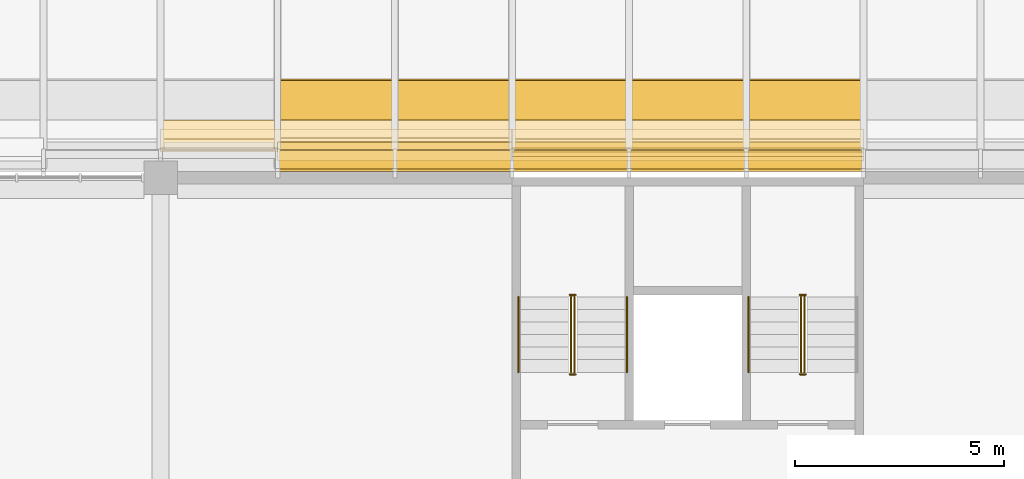
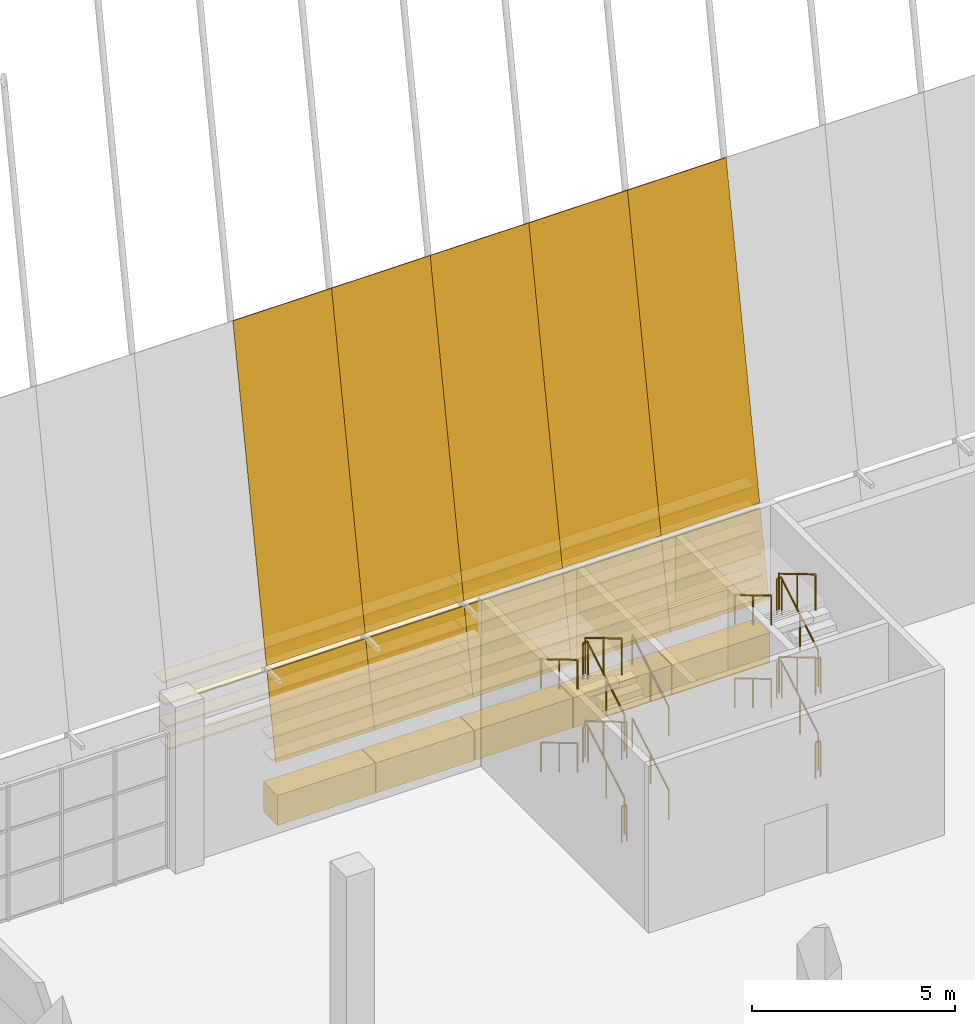
# One storey, part 91 of 101: 27 coverings, 22 railings.
"""IFC4 building model written with IfcOpenShell, lengths in metres."""

from ifc_helpers import new_model, si_unit, direction, frame, origin, origin_2d, place, context, subcontext, project, spatial, polyline, rectangle, circle, outline, extrude, material, layer, layer_set, material_profile, profile_set, type_object, element, save


model = new_model("IFC4")

# Units and contexts
model_context = context("Model", 3, precision=1e-05, world=origin(), true_north=direction((0.0, 1.0)))
body_context = subcontext(model_context, "Body", "Model", "MODEL_VIEW")
ifc_project = project(units=[si_unit("LENGTHUNIT", "METRE"), si_unit("AREAUNIT", "SQUARE_METRE"), si_unit("VOLUMEUNIT", "CUBIC_METRE"), si_unit("PLANEANGLEUNIT", "RADIAN"), si_unit("MASSUNIT", "GRAM", prefix="KILO")], contexts=[model_context])

# Site, building, storey
site_placement = place(None, origin())
site = spatial("IfcSite", under=ifc_project, at=site_placement, CompositionType="ELEMENT")
building_placement = place(site_placement, origin())
building = spatial("IfcBuilding", under=site, at=building_placement, Name="Almond Square Museum", CompositionType="ELEMENT")
storey_placement = place(building_placement, frame((0.0, 0.0, 5.5)))
storey = spatial("IfcBuildingStorey", under=building, at=storey_placement, Name="L01", CompositionType="ELEMENT", Elevation=5.5)

# Coverings
ifc_material_1 = material(Name="Cedar timber louvre board", Category="wood")
ifc_material_profile = material_profile(ifc_material_1, rectangle(XDim=0.449951171875, YDim=0.050048828125, at=origin_2d()))
ifc_profile_set = profile_set([ifc_material_profile], Name="Cedar timber louvre board")
covering_type_1 = type_object("IfcCoveringType", Name="Louvre board 450 x 50", PredefinedType="CLADDING", material=ifc_profile_set)
covering_1_placement = place(storey_placement, frame((118.0, 109.82373046875, 1.800048828125), z_axis=(1.0, 0.0, 0.0), x_axis=(0.0, 1.0, 0.0)))
element("IfcCovering", 1, at=covering_1_placement, inside=storey, type_object=covering_type_1, Name="Louvre board N01.02", PredefinedType="CLADDING", context=body_context, shape_type="SweptSolid", body=[
    extrude(rectangle(XDim=0.449951171875, YDim=0.050048828125, at=origin_2d()), origin(), (0.0, 0.0, 1.0), 5.60009765625),
])
covering_2_placement = place(storey_placement, frame((123.60009765625, 109.82373046875, 1.800048828125), z_axis=(1.0, 0.0, 0.0), x_axis=(0.0, 1.0, 0.0)))
element("IfcCovering", 2, at=covering_2_placement, inside=storey, type_object=covering_type_1, Name="Louvre board N01.03", PredefinedType="CLADDING", context=body_context, shape_type="SweptSolid", body=[
    extrude(rectangle(XDim=0.449951171875, YDim=0.050048828125, at=origin_2d()), origin(), (0.0, 0.0, 1.0), 8.39990234375),
])
covering_3_placement = place(storey_placement, frame((118.0, 109.9296875, 2.39990234375), z_axis=(1.0, 0.0, 0.0), x_axis=(0.0, 1.0, 0.0)))
element("IfcCovering", 3, at=covering_3_placement, inside=storey, type_object=covering_type_1, Name="Louvre board N02.02", PredefinedType="CLADDING", context=body_context, shape_type="SweptSolid", body=[
    extrude(rectangle(XDim=0.449951171875, YDim=0.050048828125, at=origin_2d()), origin(), (0.0, 0.0, 1.0), 5.60009765625),
])
covering_4_placement = place(storey_placement, frame((123.60009765625, 109.9296875, 2.39990234375), z_axis=(1.0, 0.0, 0.0), x_axis=(0.0, 1.0, 0.0)))
element("IfcCovering", 4, at=covering_4_placement, inside=storey, type_object=covering_type_1, Name="Louvre board N02.03", PredefinedType="CLADDING", context=body_context, shape_type="SweptSolid", body=[
    extrude(rectangle(XDim=0.449951171875, YDim=0.050048828125, at=origin_2d()), origin(), (0.0, 0.0, 1.0), 8.39990234375),
])
covering_5_placement = place(storey_placement, frame((115.199951171875, 110.035400390625, 3.0), z_axis=(1.0, 0.0, 0.0), x_axis=(0.0, 1.0, 0.0)))
element("IfcCovering", 5, at=covering_5_placement, inside=storey, type_object=covering_type_1, Name="Louvre board N03.02", PredefinedType="CLADDING", context=body_context, shape_type="SweptSolid", body=[
    extrude(rectangle(XDim=0.449951171875, YDim=0.050048828125, at=origin_2d()), origin(), (0.0, 0.0, 1.0), 8.400146484375),
])
covering_6_placement = place(storey_placement, frame((123.60009765625, 110.035400390625, 3.0), z_axis=(1.0, 0.0, 0.0), x_axis=(0.0, 1.0, 0.0)))
element("IfcCovering", 6, at=covering_6_placement, inside=storey, type_object=covering_type_1, Name="Louvre board N03.03", PredefinedType="CLADDING", context=body_context, shape_type="SweptSolid", body=[
    extrude(rectangle(XDim=0.449951171875, YDim=0.050048828125, at=origin_2d()), origin(), (0.0, 0.0, 1.0), 8.39990234375),
])
covering_7_placement = place(storey_placement, frame((115.199951171875, 110.14111328125, 3.60009765625), z_axis=(1.0, 0.0, 0.0), x_axis=(0.0, 1.0, 0.0)))
element("IfcCovering", 7, at=covering_7_placement, inside=storey, type_object=covering_type_1, Name="Louvre board N04.02", PredefinedType="CLADDING", context=body_context, shape_type="SweptSolid", body=[
    extrude(rectangle(XDim=0.449951171875, YDim=0.050048828125, at=origin_2d()), origin(), (0.0, 0.0, 1.0), 8.400146484375),
])
covering_8_placement = place(storey_placement, frame((123.60009765625, 110.14111328125, 3.60009765625), z_axis=(1.0, 0.0, 0.0), x_axis=(0.0, 1.0, 0.0)))
element("IfcCovering", 8, at=covering_8_placement, inside=storey, type_object=covering_type_1, Name="Louvre board N04.03", PredefinedType="CLADDING", context=body_context, shape_type="SweptSolid", body=[
    extrude(rectangle(XDim=0.449951171875, YDim=0.050048828125, at=origin_2d()), origin(), (0.0, 0.0, 1.0), 8.39990234375),
])
covering_9_placement = place(storey_placement, frame((115.199951171875, 110.2470703125, 4.199951171875), z_axis=(1.0, 0.0, 0.0), x_axis=(0.0, 1.0, 0.0)))
element("IfcCovering", 9, at=covering_9_placement, inside=storey, type_object=covering_type_1, Name="Louvre board N05.02", PredefinedType="CLADDING", context=body_context, shape_type="SweptSolid", body=[
    extrude(rectangle(XDim=0.449951171875, YDim=0.050048828125, at=origin_2d()), origin(), (0.0, 0.0, 1.0), 8.400146484375),
])
covering_10_placement = place(storey_placement, frame((123.60009765625, 110.2470703125, 4.199951171875), z_axis=(1.0, 0.0, 0.0), x_axis=(0.0, 1.0, 0.0)))
element("IfcCovering", 10, at=covering_10_placement, inside=storey, type_object=covering_type_1, Name="Louvre board N05.03", PredefinedType="CLADDING", context=body_context, shape_type="SweptSolid", body=[
    extrude(rectangle(XDim=0.449951171875, YDim=0.050048828125, at=origin_2d()), origin(), (0.0, 0.0, 1.0), 8.39990234375),
])
covering_11_placement = place(storey_placement, frame((115.199951171875, 110.352783203125, 4.800048828125), z_axis=(1.0, 0.0, 0.0), x_axis=(0.0, 1.0, 0.0)))
element("IfcCovering", 11, at=covering_11_placement, inside=storey, type_object=covering_type_1, Name="Louvre board N06.02", PredefinedType="CLADDING", context=body_context, shape_type="SweptSolid", body=[
    extrude(rectangle(XDim=0.449951171875, YDim=0.050048828125, at=origin_2d()), origin(), (0.0, 0.0, 1.0), 8.400146484375),
])
covering_12_placement = place(storey_placement, frame((123.60009765625, 110.352783203125, 4.800048828125), z_axis=(1.0, 0.0, 0.0), x_axis=(0.0, 1.0, 0.0)))
element("IfcCovering", 12, at=covering_12_placement, inside=storey, type_object=covering_type_1, Name="Louvre board N06.03", PredefinedType="CLADDING", context=body_context, shape_type="SweptSolid", body=[
    extrude(rectangle(XDim=0.449951171875, YDim=0.050048828125, at=origin_2d()), origin(), (0.0, 0.0, 1.0), 8.39990234375),
])
ifc_material_2 = material(Name="Cedar timber sheathing panel", Category="wood")
ifc_layer_1 = layer(ifc_material_2, 0.030029296875)
ifc_layer_set_1 = layer_set([ifc_layer_1], Name="Cedar timber sheathing panel")
covering_type_2 = type_object("IfcCoveringType", Name="Louvre rain-screen backing panel 30", PredefinedType="CLADDING", material=ifc_layer_set_1)
covering_13_placement = place(storey_placement, frame((118.0, 109.42724609375, 1.8486328125), z_axis=(0.0, -0.984810858511, 0.173630564586), x_axis=(1.0, 0.0, 0.0)))
element("IfcCovering", 13, at=covering_13_placement, inside=storey, type_object=covering_type_2, Name="Louvre rain-screen backing panel N05.03", PredefinedType="CLADDING", context=body_context, shape_type="SweptSolid", body=[
    extrude(outline(polyline([(0.0, 0.0), (2.800048828125, 0.0), (2.800048828125, 2.519717660558068), (0.0, 2.519717660558068), (0.0, 0.0)])), frame((0.0, 0.0, -0.01513671875)), (0.0, 0.0, 1.0), 0.030029296875),
])
covering_14_placement = place(storey_placement, frame((118.0, 109.889404296875, 4.469970703125), z_axis=(0.0, -0.98480863204, 0.173643192378), x_axis=(1.0, 0.0, 0.0)))
element("IfcCovering", 14, at=covering_14_placement, inside=storey, type_object=covering_type_2, Name="Louvre rain-screen backing panel N05.04", PredefinedType="CLADDING", context=body_context, shape_type="SweptSolid", body=[
    extrude(outline(polyline([(0.0, 0.0), (2.800048828125, 0.0), (2.800048828125, 9.504493682681225), (0.0, 9.504493682681225), (0.0, 0.0)])), frame((0.0, 0.0, -0.01513671875)), (0.0, 0.0, 1.0), 0.030029296875),
])
covering_15_placement = place(storey_placement, frame((120.800048828125, 109.42724609375, 1.8486328125), z_axis=(0.0, -0.984810858511, 0.173630564586), x_axis=(1.0, 0.0, 0.0)))
element("IfcCovering", 15, at=covering_15_placement, inside=storey, type_object=covering_type_2, Name="Louvre rain-screen backing panel N06.03", PredefinedType="CLADDING", context=body_context, shape_type="SweptSolid", body=[
    extrude(outline(polyline([(0.0, 0.0), (2.800048828125, 0.0), (2.800048828125, 2.519717660558068), (0.0, 2.519717660558068), (0.0, 0.0)])), frame((0.0, 0.0, -0.01513671875)), (0.0, 0.0, 1.0), 0.030029296875),
])
covering_16_placement = place(storey_placement, frame((120.800048828125, 109.889404296875, 4.469970703125), z_axis=(0.0, -0.98480863204, 0.173643192378), x_axis=(1.0, 0.0, 0.0)))
element("IfcCovering", 16, at=covering_16_placement, inside=storey, type_object=covering_type_2, Name="Louvre rain-screen backing panel N06.04", PredefinedType="CLADDING", context=body_context, shape_type="SweptSolid", body=[
    extrude(outline(polyline([(0.0, 0.0), (2.800048828125, 0.0), (2.800048828125, 9.504493682681225), (0.0, 9.504493682681225), (0.0, 0.0)])), frame((0.0, 0.0, -0.01513671875)), (0.0, 0.0, 1.0), 0.030029296875),
])
covering_17_placement = place(storey_placement, frame((123.60009765625, 109.42724609375, 1.8486328125), z_axis=(0.0, -0.984810858511, 0.173630564586), x_axis=(1.0, 0.0, 0.0)))
element("IfcCovering", 17, at=covering_17_placement, inside=storey, type_object=covering_type_2, Name="Louvre rain-screen backing panel N07.03", PredefinedType="CLADDING", context=body_context, shape_type="SweptSolid", body=[
    extrude(outline(polyline([(0.0, 0.0), (2.7998046875, 0.0), (2.7998046875, 2.519717660558068), (0.0, 2.519717660558068), (0.0, 0.0)])), frame((0.0, 0.0, -0.01513671875)), (0.0, 0.0, 1.0), 0.030029296875),
])
covering_18_placement = place(storey_placement, frame((123.60009765625, 109.889404296875, 4.469970703125), z_axis=(0.0, -0.98480863204, 0.173643192378), x_axis=(1.0, 0.0, 0.0)))
element("IfcCovering", 18, at=covering_18_placement, inside=storey, type_object=covering_type_2, Name="Louvre rain-screen backing panel N07.04", PredefinedType="CLADDING", context=body_context, shape_type="SweptSolid", body=[
    extrude(outline(polyline([(0.0, 0.0), (2.7998046875, 0.0), (2.7998046875, 9.504493682681227), (0.0, 9.504493682681227), (0.0, 0.0)])), frame((0.0, 0.0, -0.01513671875)), (0.0, 0.0, 1.0), 0.030029296875),
])
covering_19_placement = place(storey_placement, frame((126.39990234375, 109.42724609375, 1.8486328125), z_axis=(0.0, -0.984810858511, 0.173630564586), x_axis=(1.0, 0.0, 0.0)))
element("IfcCovering", 19, at=covering_19_placement, inside=storey, type_object=covering_type_2, Name="Louvre rain-screen backing panel N08.03", PredefinedType="CLADDING", context=body_context, shape_type="SweptSolid", body=[
    extrude(outline(polyline([(0.0, 0.0), (2.800048828125, 0.0), (2.800048828125, 2.519717660558068), (0.0, 2.519717660558068), (0.0, 0.0)])), frame((0.0, 0.0, -0.01513671875)), (0.0, 0.0, 1.0), 0.030029296875),
])
covering_20_placement = place(storey_placement, frame((126.39990234375, 109.889404296875, 4.469970703125), z_axis=(0.0, -0.98480863204, 0.173643192378), x_axis=(1.0, 0.0, 0.0)))
element("IfcCovering", 20, at=covering_20_placement, inside=storey, type_object=covering_type_2, Name="Louvre rain-screen backing panel N08.04", PredefinedType="CLADDING", context=body_context, shape_type="SweptSolid", body=[
    extrude(outline(polyline([(0.0, 0.0), (2.800048828125, 0.0), (2.800048828125, 9.504493682681225), (0.0, 9.504493682681225), (0.0, 0.0)])), frame((0.0, 0.0, -0.01513671875)), (0.0, 0.0, 1.0), 0.030029296875),
])
covering_21_placement = place(storey_placement, frame((129.199951171875, 109.42724609375, 1.8486328125), z_axis=(0.0, -0.984810858511, 0.173630564586), x_axis=(1.0, 0.0, 0.0)))
element("IfcCovering", 21, at=covering_21_placement, inside=storey, type_object=covering_type_2, Name="Louvre rain-screen backing panel N09.03", PredefinedType="CLADDING", context=body_context, shape_type="SweptSolid", body=[
    extrude(outline(polyline([(0.0, 0.0), (2.800048828125, 0.0), (2.800048828125, 2.519717660558068), (0.0, 2.519717660558068), (0.0, 0.0)])), frame((0.0, 0.0, -0.01513671875)), (0.0, 0.0, 1.0), 0.030029296875),
])
covering_22_placement = place(storey_placement, frame((129.199951171875, 109.889404296875, 4.469970703125), z_axis=(0.0, -0.98480863204, 0.173643192378), x_axis=(1.0, 0.0, 0.0)))
element("IfcCovering", 22, at=covering_22_placement, inside=storey, type_object=covering_type_2, Name="Louvre rain-screen backing panel N09.04", PredefinedType="CLADDING", context=body_context, shape_type="SweptSolid", body=[
    extrude(outline(polyline([(0.0, 0.0), (2.800048828125, 0.0), (2.800048828125, 9.504493682681225), (0.0, 9.504493682681225), (0.0, 0.0)])), frame((0.0, 0.0, -0.01513671875)), (0.0, 0.0, 1.0), 0.030029296875),
])
ifc_material_3 = material(Name="Timber plinth, cedar", Category="wood")
ifc_layer_2 = layer(ifc_material_3, 0.699951171875)
ifc_layer_set_2 = layer_set([ifc_layer_2], Name="Timber plinth, cedar")
covering_type_3 = type_object("IfcCoveringType", Name="Louvre skin plinth, timber 700 x 900", PredefinedType="CLADDING", material=ifc_layer_set_2)
for number, where, z_axis, x_axis, name in (
    (23, (119.39990234375, 109.699951171875, 0.0), (0.0, 0.0, 1.0), (1.0, 0.0, 0.0), "Louvre skin plinth N05"),
    (24, (122.199951171875, 109.699951171875, 0.0), (0.0, 0.0, 1.0), (1.0, 0.0, 0.0), "Louvre skin plinth N06"),
    (25, (125.0, 109.699951171875, 0.0), (0.0, 0.0, 1.0), (1.0, 0.0, 0.0), "Louvre skin plinth N07"),
    (26, (127.800048828125, 109.699951171875, 0.0), (0.0, 0.0, 1.0), (1.0, 0.0, 0.0), "Louvre skin plinth N08"),
    (27, (130.60009765625, 109.699951171875, 0.0), (0.0, 0.0, 1.0), (1.0, 0.0, 0.0), "Louvre skin plinth N09"),
):
    element("IfcCovering", number, at=place(storey_placement, frame(where, z_axis=z_axis, x_axis=x_axis)), inside=storey, type_object=covering_type_3, Name=name, PredefinedType="CLADDING", context=body_context, shape_type="SweptSolid", body=[
        extrude(rectangle(XDim=2.780029296875, YDim=0.699951171875, at=origin_2d()), origin(), (0.0, 0.0, 1.0), 0.89990234375),
    ])

# Railings
ifc_material_4 = material(Name="Stainless steel and laminated glass", Category="steel")
railing_type_1 = type_object("IfcRailingType", Name="Stair guard 1100 steel and glass", PredefinedType="GUARDRAIL", material=ifc_material_4)
railing_1_placement = place(storey_placement, frame((125.090087890625, 104.550048828125, 0.178466796875)))
element("IfcRailing", 28, at=railing_1_placement, inside=storey, type_object=railing_type_1, Name="L01 ST-07 stair guard 1", PredefinedType="GUARDRAIL", context=body_context, shape_type="SweptSolid", body=[
    extrude(circle(Radius=0.02392578125, at=origin_2d()), frame((0.0, 0.0, 1.076171875), z_axis=(0.0, 0.859277029364, 0.511510495305), x_axis=(-1.0, 0.0, 0.0)), (0.0, 0.0, 1.0), 2.0947265625),
    extrude(circle(Radius=0.02099609375, at=origin_2d()), origin(), (0.0, 0.0, 1.0), 1.052001953125),
    extrude(circle(Radius=0.02099609375, at=origin_2d()), frame((0.0, 0.89990234375, 0.53564453125)), (0.0, 0.0, 1.0), 1.052001953125),
    extrude(circle(Radius=0.02099609375, at=origin_2d()), frame((0.0, 1.800048828125, 1.071533203125)), (0.0, 0.0, 1.0), 1.052001953125),
])
railing_2_placement = place(storey_placement, frame((125.1201171875, 106.39990234375, 1.25)))
element("IfcRailing", 29, at=railing_2_placement, inside=storey, type_object=railing_type_1, Name="L01 ST-07 stair guard 2", PredefinedType="GUARDRAIL", context=body_context, shape_type="SweptSolid", body=[
    extrude(circle(Radius=0.02392578125, at=origin_2d()), frame((0.0, 0.0, 1.076171875), z_axis=(-1.0, 0.0, 0.0), x_axis=(0.0, -1.0, 0.0)), (0.0, 0.0, 1.0), 0.14013671875),
    extrude(circle(Radius=0.02099609375, at=origin_2d()), origin(), (0.0, 0.0, 1.0), 1.052001953125),
    extrude(circle(Radius=0.02099609375, at=origin_2d()), frame((-0.14013671875, 0.0, 0.0)), (0.0, 0.0, 1.0), 1.052001953125),
])
railing_3_placement = place(storey_placement, frame((125.010009765625, 106.35009765625, 1.428466796875)))
element("IfcRailing", 30, at=railing_3_placement, inside=storey, type_object=railing_type_1, Name="L01 ST-07 stair guard 3", PredefinedType="GUARDRAIL", context=body_context, shape_type="SweptSolid", body=[
    extrude(circle(Radius=0.02392578125, at=origin_2d()), frame((0.0, 0.0, 1.076171875), z_axis=(0.0, -0.859277029364, 0.511510495305), x_axis=(1.0, 0.0, 0.0)), (0.0, 0.0, 1.0), 2.0947265625),
    extrude(circle(Radius=0.02099609375, at=origin_2d()), origin(), (0.0, 0.0, 1.0), 1.052001953125),
    extrude(circle(Radius=0.02099609375, at=origin_2d()), frame((0.0, -0.89990234375, 0.53564453125)), (0.0, 0.0, 1.0), 1.052001953125),
    extrude(circle(Radius=0.02099609375, at=origin_2d()), frame((0.0, -1.800048828125, 1.071533203125)), (0.0, 0.0, 1.0), 1.052001953125),
])
railing_4_placement = place(storey_placement, frame((125.1201171875, 104.5, 2.5)))
element("IfcRailing", 31, at=railing_4_placement, inside=storey, type_object=railing_type_1, Name="L01 ST-07 stair guard 4", PredefinedType="GUARDRAIL", context=body_context, shape_type="SweptSolid", body=[
    extrude(circle(Radius=0.02392578125, at=origin_2d()), frame((0.0, 0.0, 1.076171875), z_axis=(-1.0, 0.0, 0.0), x_axis=(0.0, -1.0, 0.0)), (0.0, 0.0, 1.0), 0.14013671875),
    extrude(circle(Radius=0.02099609375, at=origin_2d()), origin(), (0.0, 0.0, 1.0), 1.052001953125),
    extrude(circle(Radius=0.02099609375, at=origin_2d()), frame((-0.14013671875, 0.0, 0.0)), (0.0, 0.0, 1.0), 1.052001953125),
])
railing_5_placement = place(storey_placement, frame((125.090087890625, 104.550048828125, 2.678466796875)))
element("IfcRailing", 32, at=railing_5_placement, inside=storey, type_object=railing_type_1, Name="L01 ST-07 stair guard 5", PredefinedType="GUARDRAIL", context=body_context, shape_type="SweptSolid", body=[
    extrude(circle(Radius=0.02392578125, at=origin_2d()), frame((0.0, 0.0, 1.076171875), z_axis=(0.0, 0.859277029364, 0.511510495305), x_axis=(-1.0, 0.0, 0.0)), (0.0, 0.0, 1.0), 2.0947265625),
    extrude(circle(Radius=0.02099609375, at=origin_2d()), origin(), (0.0, 0.0, 1.0), 1.052001953125),
    extrude(circle(Radius=0.02099609375, at=origin_2d()), frame((0.0, 0.89990234375, 0.53564453125)), (0.0, 0.0, 1.0), 1.052001953125),
    extrude(circle(Radius=0.02099609375, at=origin_2d()), frame((0.0, 1.800048828125, 1.071533203125)), (0.0, 0.0, 1.0), 1.052001953125),
])
railing_6_placement = place(storey_placement, frame((125.1201171875, 106.39990234375, 3.75)))
element("IfcRailing", 33, at=railing_6_placement, inside=storey, type_object=railing_type_1, Name="L01 ST-07 stair guard 6", PredefinedType="GUARDRAIL", context=body_context, shape_type="SweptSolid", body=[
    extrude(circle(Radius=0.02392578125, at=origin_2d()), frame((0.0, 0.0, 1.076171875), z_axis=(-1.0, 0.0, 0.0), x_axis=(0.0, -1.0, 0.0)), (0.0, 0.0, 1.0), 0.14013671875),
    extrude(circle(Radius=0.02099609375, at=origin_2d()), origin(), (0.0, 0.0, 1.0), 1.052001953125),
    extrude(circle(Radius=0.02099609375, at=origin_2d()), frame((-0.14013671875, 0.0, 0.0)), (0.0, 0.0, 1.0), 1.052001953125),
])
railing_7_placement = place(storey_placement, frame((125.010009765625, 106.35009765625, 3.928466796875)))
element("IfcRailing", 34, at=railing_7_placement, inside=storey, type_object=railing_type_1, Name="L01 ST-07 stair guard 7", PredefinedType="GUARDRAIL", context=body_context, shape_type="SweptSolid", body=[
    extrude(circle(Radius=0.02392578125, at=origin_2d()), frame((0.0, 0.0, 1.076171875), z_axis=(0.0, -0.859277029364, 0.511510495305), x_axis=(1.0, 0.0, 0.0)), (0.0, 0.0, 1.0), 2.0947265625),
    extrude(circle(Radius=0.02099609375, at=origin_2d()), origin(), (0.0, 0.0, 1.0), 1.052001953125),
    extrude(circle(Radius=0.02099609375, at=origin_2d()), frame((0.0, -0.89990234375, 0.53564453125)), (0.0, 0.0, 1.0), 1.052001953125),
    extrude(circle(Radius=0.02099609375, at=origin_2d()), frame((0.0, -1.800048828125, 1.071533203125)), (0.0, 0.0, 1.0), 1.052001953125),
])
railing_8_placement = place(storey_placement, frame((125.1201171875, 104.5, 0.0)))
element("IfcRailing", 35, at=railing_8_placement, inside=storey, type_object=railing_type_1, Name="L01 ST-07 stair guard 8", PredefinedType="GUARDRAIL", context=body_context, shape_type="SweptSolid", body=[
    extrude(circle(Radius=0.02392578125, at=origin_2d()), frame((0.0, 0.0, 1.076171875), z_axis=(-1.0, 0.0, 0.0), x_axis=(0.0, -1.0, 0.0)), (0.0, 0.0, 1.0), 0.14013671875),
    extrude(circle(Radius=0.02099609375, at=origin_2d()), origin(), (0.0, 0.0, 1.0), 1.052001953125),
    extrude(circle(Radius=0.02099609375, at=origin_2d()), frame((-0.14013671875, 0.0, 0.0)), (0.0, 0.0, 1.0), 1.052001953125),
])
railing_9_placement = place(storey_placement, frame((130.590087890625, 104.550048828125, 0.178466796875)))
element("IfcRailing", 36, at=railing_9_placement, inside=storey, type_object=railing_type_1, Name="L01 ST-08 stair guard 1", PredefinedType="GUARDRAIL", context=body_context, shape_type="SweptSolid", body=[
    extrude(circle(Radius=0.02392578125, at=origin_2d()), frame((0.0, 0.0, 1.076171875), z_axis=(0.0, 0.859277029364, 0.511510495305), x_axis=(-1.0, 0.0, 0.0)), (0.0, 0.0, 1.0), 2.0947265625),
    extrude(circle(Radius=0.02099609375, at=origin_2d()), origin(), (0.0, 0.0, 1.0), 1.052001953125),
    extrude(circle(Radius=0.02099609375, at=origin_2d()), frame((0.0, 0.89990234375, 0.53564453125)), (0.0, 0.0, 1.0), 1.052001953125),
    extrude(circle(Radius=0.02099609375, at=origin_2d()), frame((0.0, 1.800048828125, 1.071533203125)), (0.0, 0.0, 1.0), 1.052001953125),
])
railing_10_placement = place(storey_placement, frame((130.6201171875, 106.39990234375, 1.25)))
element("IfcRailing", 37, at=railing_10_placement, inside=storey, type_object=railing_type_1, Name="L01 ST-08 stair guard 2", PredefinedType="GUARDRAIL", context=body_context, shape_type="SweptSolid", body=[
    extrude(circle(Radius=0.02392578125, at=origin_2d()), frame((0.0, 0.0, 1.076171875), z_axis=(-1.0, 0.0, 0.0), x_axis=(0.0, -1.0, 0.0)), (0.0, 0.0, 1.0), 0.14013671875),
    extrude(circle(Radius=0.02099609375, at=origin_2d()), origin(), (0.0, 0.0, 1.0), 1.052001953125),
    extrude(circle(Radius=0.02099609375, at=origin_2d()), frame((-0.14013671875, 0.0, 0.0)), (0.0, 0.0, 1.0), 1.052001953125),
])
railing_11_placement = place(storey_placement, frame((130.510009765625, 106.35009765625, 1.428466796875)))
element("IfcRailing", 38, at=railing_11_placement, inside=storey, type_object=railing_type_1, Name="L01 ST-08 stair guard 3", PredefinedType="GUARDRAIL", context=body_context, shape_type="SweptSolid", body=[
    extrude(circle(Radius=0.02392578125, at=origin_2d()), frame((0.0, 0.0, 1.076171875), z_axis=(0.0, -0.859277029364, 0.511510495305), x_axis=(1.0, 0.0, 0.0)), (0.0, 0.0, 1.0), 2.0947265625),
    extrude(circle(Radius=0.02099609375, at=origin_2d()), origin(), (0.0, 0.0, 1.0), 1.052001953125),
    extrude(circle(Radius=0.02099609375, at=origin_2d()), frame((0.0, -0.89990234375, 0.53564453125)), (0.0, 0.0, 1.0), 1.052001953125),
    extrude(circle(Radius=0.02099609375, at=origin_2d()), frame((0.0, -1.800048828125, 1.071533203125)), (0.0, 0.0, 1.0), 1.052001953125),
])
railing_12_placement = place(storey_placement, frame((130.6201171875, 104.5, 2.5)))
element("IfcRailing", 39, at=railing_12_placement, inside=storey, type_object=railing_type_1, Name="L01 ST-08 stair guard 4", PredefinedType="GUARDRAIL", context=body_context, shape_type="SweptSolid", body=[
    extrude(circle(Radius=0.02392578125, at=origin_2d()), frame((0.0, 0.0, 1.076171875), z_axis=(-1.0, 0.0, 0.0), x_axis=(0.0, -1.0, 0.0)), (0.0, 0.0, 1.0), 0.14013671875),
    extrude(circle(Radius=0.02099609375, at=origin_2d()), origin(), (0.0, 0.0, 1.0), 1.052001953125),
    extrude(circle(Radius=0.02099609375, at=origin_2d()), frame((-0.14013671875, 0.0, 0.0)), (0.0, 0.0, 1.0), 1.052001953125),
])
railing_13_placement = place(storey_placement, frame((130.590087890625, 104.550048828125, 2.678466796875)))
element("IfcRailing", 40, at=railing_13_placement, inside=storey, type_object=railing_type_1, Name="L01 ST-08 stair guard 5", PredefinedType="GUARDRAIL", context=body_context, shape_type="SweptSolid", body=[
    extrude(circle(Radius=0.02392578125, at=origin_2d()), frame((0.0, 0.0, 1.076171875), z_axis=(0.0, 0.859277029364, 0.511510495305), x_axis=(-1.0, 0.0, 0.0)), (0.0, 0.0, 1.0), 2.0947265625),
    extrude(circle(Radius=0.02099609375, at=origin_2d()), origin(), (0.0, 0.0, 1.0), 1.052001953125),
    extrude(circle(Radius=0.02099609375, at=origin_2d()), frame((0.0, 0.89990234375, 0.53564453125)), (0.0, 0.0, 1.0), 1.052001953125),
    extrude(circle(Radius=0.02099609375, at=origin_2d()), frame((0.0, 1.800048828125, 1.071533203125)), (0.0, 0.0, 1.0), 1.052001953125),
])
railing_14_placement = place(storey_placement, frame((130.6201171875, 106.39990234375, 3.75)))
element("IfcRailing", 41, at=railing_14_placement, inside=storey, type_object=railing_type_1, Name="L01 ST-08 stair guard 6", PredefinedType="GUARDRAIL", context=body_context, shape_type="SweptSolid", body=[
    extrude(circle(Radius=0.02392578125, at=origin_2d()), frame((0.0, 0.0, 1.076171875), z_axis=(-1.0, 0.0, 0.0), x_axis=(0.0, -1.0, 0.0)), (0.0, 0.0, 1.0), 0.14013671875),
    extrude(circle(Radius=0.02099609375, at=origin_2d()), origin(), (0.0, 0.0, 1.0), 1.052001953125),
    extrude(circle(Radius=0.02099609375, at=origin_2d()), frame((-0.14013671875, 0.0, 0.0)), (0.0, 0.0, 1.0), 1.052001953125),
])
railing_15_placement = place(storey_placement, frame((130.510009765625, 106.35009765625, 3.928466796875)))
element("IfcRailing", 42, at=railing_15_placement, inside=storey, type_object=railing_type_1, Name="L01 ST-08 stair guard 7", PredefinedType="GUARDRAIL", context=body_context, shape_type="SweptSolid", body=[
    extrude(circle(Radius=0.02392578125, at=origin_2d()), frame((0.0, 0.0, 1.076171875), z_axis=(0.0, -0.859277029364, 0.511510495305), x_axis=(1.0, 0.0, 0.0)), (0.0, 0.0, 1.0), 2.0947265625),
    extrude(circle(Radius=0.02099609375, at=origin_2d()), origin(), (0.0, 0.0, 1.0), 1.052001953125),
    extrude(circle(Radius=0.02099609375, at=origin_2d()), frame((0.0, -0.89990234375, 0.53564453125)), (0.0, 0.0, 1.0), 1.052001953125),
    extrude(circle(Radius=0.02099609375, at=origin_2d()), frame((0.0, -1.800048828125, 1.071533203125)), (0.0, 0.0, 1.0), 1.052001953125),
])
railing_16_placement = place(storey_placement, frame((130.6201171875, 104.5, 0.0)))
element("IfcRailing", 43, at=railing_16_placement, inside=storey, type_object=railing_type_1, Name="L01 ST-08 stair guard 8", PredefinedType="GUARDRAIL", context=body_context, shape_type="SweptSolid", body=[
    extrude(circle(Radius=0.02392578125, at=origin_2d()), frame((0.0, 0.0, 1.076171875), z_axis=(-1.0, 0.0, 0.0), x_axis=(0.0, -1.0, 0.0)), (0.0, 0.0, 1.0), 0.14013671875),
    extrude(circle(Radius=0.02099609375, at=origin_2d()), origin(), (0.0, 0.0, 1.0), 1.052001953125),
    extrude(circle(Radius=0.02099609375, at=origin_2d()), frame((-0.14013671875, 0.0, 0.0)), (0.0, 0.0, 1.0), 1.052001953125),
])
ifc_material_5 = material(Name="Stainless steel", Category="steel")
railing_type_2 = type_object("IfcRailingType", Name="Stair handrail 900 steel", PredefinedType="HANDRAIL", material=ifc_material_5)
railing_17_placement = place(storey_placement, frame((126.344970703125, 104.550048828125, 0.178466796875)))
element("IfcRailing", 44, at=railing_17_placement, inside=storey, type_object=railing_type_2, Name="L01 ST-07 stair handrail 1", PredefinedType="HANDRAIL", context=body_context, shape_type="SweptSolid", body=[
    extrude(circle(Radius=0.02392578125, at=origin_2d()), frame((0.0, 0.0, 0.8759765625), z_axis=(0.0, 0.859277029364, 0.511510495305), x_axis=(-1.0, 0.0, 0.0)), (0.0, 0.0, 1.0), 2.0947265625),
    extrude(circle(Radius=0.02099609375, at=origin_2d()), origin(), (0.0, 0.0, 1.0), 0.851806640625),
    extrude(circle(Radius=0.02099609375, at=origin_2d()), frame((0.0, 0.89990234375, 0.53564453125)), (0.0, 0.0, 1.0), 0.851806640625),
    extrude(circle(Radius=0.02099609375, at=origin_2d()), frame((0.0, 1.800048828125, 1.071533203125)), (0.0, 0.0, 1.0), 0.851806640625),
])
railing_18_placement = place(storey_placement, frame((123.7548828125, 106.35009765625, 1.428466796875)))
element("IfcRailing", 45, at=railing_18_placement, inside=storey, type_object=railing_type_2, Name="L01 ST-07 stair handrail 2", PredefinedType="HANDRAIL", context=body_context, shape_type="SweptSolid", body=[
    extrude(circle(Radius=0.02392578125, at=origin_2d()), frame((0.0, 0.0, 0.8759765625), z_axis=(0.0, -0.859277029364, 0.511510495305), x_axis=(1.0, 0.0, 0.0)), (0.0, 0.0, 1.0), 2.0947265625),
    extrude(circle(Radius=0.02099609375, at=origin_2d()), origin(), (0.0, 0.0, 1.0), 0.851806640625),
    extrude(circle(Radius=0.02099609375, at=origin_2d()), frame((0.0, -0.89990234375, 0.53564453125)), (0.0, 0.0, 1.0), 0.851806640625),
    extrude(circle(Radius=0.02099609375, at=origin_2d()), frame((0.0, -1.800048828125, 1.071533203125)), (0.0, 0.0, 1.0), 0.851806640625),
])
railing_19_placement = place(storey_placement, frame((126.344970703125, 104.550048828125, 2.678466796875)))
element("IfcRailing", 46, at=railing_19_placement, inside=storey, type_object=railing_type_2, Name="L01 ST-07 stair handrail 3", PredefinedType="HANDRAIL", context=body_context, shape_type="SweptSolid", body=[
    extrude(circle(Radius=0.02392578125, at=origin_2d()), frame((0.0, 0.0, 0.8759765625), z_axis=(0.0, 0.859277029364, 0.511510495305), x_axis=(-1.0, 0.0, 0.0)), (0.0, 0.0, 1.0), 2.0947265625),
    extrude(circle(Radius=0.02099609375, at=origin_2d()), origin(), (0.0, 0.0, 1.0), 0.851806640625),
    extrude(circle(Radius=0.02099609375, at=origin_2d()), frame((0.0, 0.89990234375, 0.53564453125)), (0.0, 0.0, 1.0), 0.851806640625),
    extrude(circle(Radius=0.02099609375, at=origin_2d()), frame((0.0, 1.800048828125, 1.071533203125)), (0.0, 0.0, 1.0), 0.851806640625),
])
for number, where, name in (
    (47, (123.7548828125, 106.35009765625, 3.928466796875), "L01 ST-07 stair handrail 4"),
    (48, (129.2548828125, 106.35009765625, 1.428466796875), "L01 ST-08 stair handrail 2"),
    (49, (129.2548828125, 106.35009765625, 3.928466796875), "L01 ST-08 stair handrail 4"),
):
    element("IfcRailing", number, at=place(storey_placement, frame(where)), inside=storey, type_object=railing_type_2, Name=name, PredefinedType="HANDRAIL", context=body_context, shape_type="SweptSolid", body=[
        extrude(circle(Radius=0.02392578125, at=origin_2d()), frame((0.0, 0.0, 0.8759765625), z_axis=(0.0, -0.859277029364, 0.511510495305), x_axis=(1.0, 0.0, 0.0)), (0.0, 0.0, 1.0), 2.0947265625),
        extrude(circle(Radius=0.02099609375, at=origin_2d()), origin(), (0.0, 0.0, 1.0), 0.851806640625),
        extrude(circle(Radius=0.02099609375, at=origin_2d()), frame((0.0, -0.89990234375, 0.53564453125)), (0.0, 0.0, 1.0), 0.851806640625),
        extrude(circle(Radius=0.02099609375, at=origin_2d()), frame((0.0, -1.800048828125, 1.071533203125)), (0.0, 0.0, 1.0), 0.851806640625),
    ])

save(model, "model.ifc")
